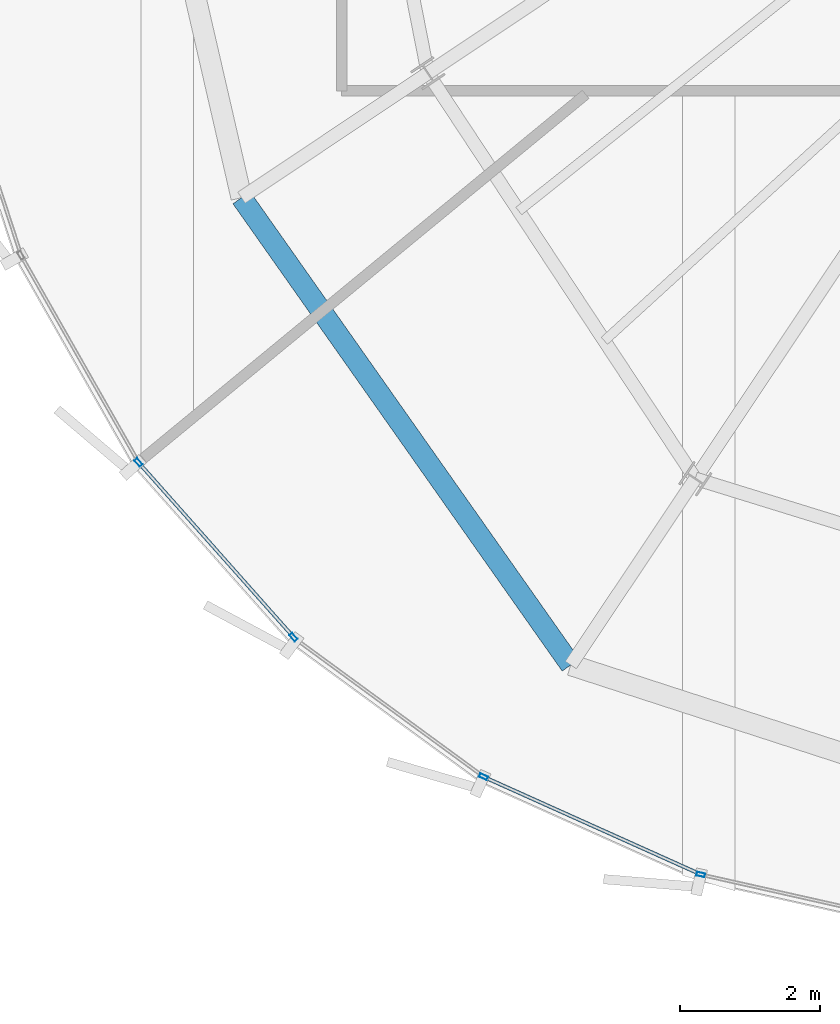
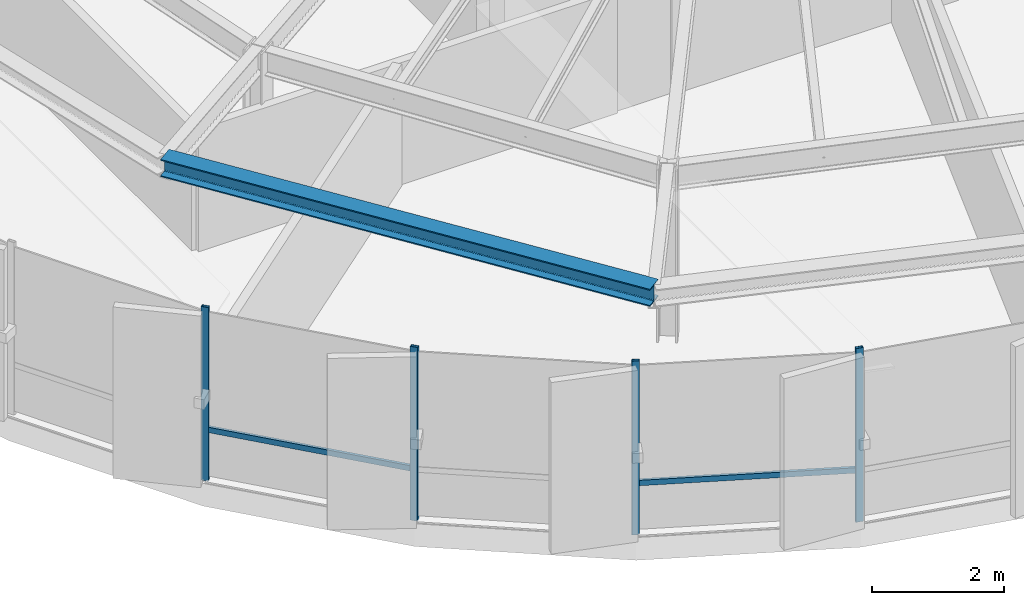
# One storey, part 2 of 36: 6 members, 1 beam, 2 elements without a shape of their own.
"""IFC4 building model written with IfcOpenShell, lengths in metres."""

from ifc_helpers import new_model, si_unit, direction, frame, origin, origin_2d, place, context, subcontext, project, spatial, hollow_rectangle, i_section, extrude, source, transform, mapped, material, layer, layer_set, material_profile, profile_set, type_object, element, aggregate, save


model = new_model("IFC4")

# Units and contexts
model_context = context("Model", 3, precision=1e-05, world=origin(), true_north=direction((0.0, 1.0)))
body_context = subcontext(model_context, "Body", "Model", "MODEL_VIEW")
ifc_project = project(units=[si_unit("LENGTHUNIT", "METRE"), si_unit("AREAUNIT", "SQUARE_METRE"), si_unit("VOLUMEUNIT", "CUBIC_METRE"), si_unit("PLANEANGLEUNIT", "RADIAN"), si_unit("MASSUNIT", "GRAM", prefix="KILO"), si_unit("THERMODYNAMICTEMPERATUREUNIT", "KELVIN")], contexts=[model_context])

# Site, building, storey
site_placement = place(None, origin())
site = spatial("IfcSite", under=ifc_project, at=site_placement, CompositionType="ELEMENT")
building_placement = place(site_placement, origin())
building = spatial("IfcBuilding", under=site, at=building_placement, Name="Kethvar Cultural Tower", CompositionType="ELEMENT")
storey_placement = place(building_placement, frame((0.0, 0.0, 228.39990234375)))
storey = spatial("IfcBuildingStorey", under=building, at=storey_placement, Name="L59", CompositionType="ELEMENT", Elevation=228.39990234375)

# Beam
ifc_material_1 = material(Name="Steel S355J2", Category="steel")
ifc_material_profile_1 = material_profile(ifc_material_1, i_section(OverallWidth=0.300048828125, OverallDepth=0.320068359375, WebThickness=0.011474609375, FlangeThickness=0.0205078125, FilletRadius=0.027099609375, at=origin_2d()), Name="Steel S355J2 — HEB320")
ifc_profile_set_1 = profile_set([ifc_material_profile_1], Name="Steel S355J2 — HEB320")
beam_type = type_object("IfcBeamType", Name="BM-SP320", PredefinedType="SPANDREL", material=ifc_profile_set_1)
shared_shape_1 = source(origin(), body_context, "Body", "SweptSolid", [
    extrude(i_section(OverallWidth=0.300048828125, OverallDepth=0.320068359375, WebThickness=0.011474609375, FlangeThickness=0.0205078125, FilletRadius=0.027099609375, at=origin_2d()), origin(), (0.0, 0.0, 1.0), 8.16259765625),
])
beam_placement = place(storey_placement, frame((30.252197265625, 16.7431640625, 3.048095703125), z_axis=(0.575940812748, -0.817491394579, 0.0), x_axis=(0.817491394579, 0.575940812748, 0.0)))
element("IfcBeam", 1, at=beam_placement, inside=storey, type_object=beam_type, Name="L59 Perimeter Spandrel Beam SP-10", PredefinedType="SPANDREL", context=body_context, shape_type="MappedRepresentation", body=[
    mapped(shared_shape_1, transform((0.0, 0.0, 0.0), scale=1.0)),
])

# Curtain wall, members
ifc_material_2 = material(Name="Aluminium 6063-T6", Category="aluminium")
ifc_layer = layer(ifc_material_2, 0.179931640625, Name="Aluminium 6063-T6", Category="aluminium")
ifc_layer_set = layer_set([ifc_layer], Name="Aluminium 6063-T6 (180 mm)")
curtain_wall_type = type_object("IfcCurtainWallType", Name="CW-SYS-05-Z56", PredefinedType="NOTDEFINED", material=ifc_layer_set)
curtain_wall_1_placement = place(storey_placement, origin())
curtain_wall_1 = element("IfcCurtainWall", 2, at=curtain_wall_1_placement, inside=storey, type_object=curtain_wall_type, Name="L59 Curtain Wall Run 03", PredefinedType="NOTDEFINED")
ifc_material_profile_2 = material_profile(ifc_material_2, hollow_rectangle(XDim=0.054931640625, YDim=0.1201171875, WallThickness=0.00390625, at=origin_2d()), Name="Aluminium 6063-T6 — RHS120x55x4")
ifc_profile_set_2 = profile_set([ifc_material_profile_2], Name="Aluminium 6063-T6 — RHS120x55x4")
member_type_1 = type_object("IfcMemberType", Name="CW-SYS-05-Z56-MUL", PredefinedType="MULLION", material=ifc_profile_set_2)
shared_shape_2 = source(origin(), body_context, "Body", "SweptSolid", [
    extrude(hollow_rectangle(XDim=0.054931640625, YDim=0.1201171875, WallThickness=0.00390625, at=origin_2d()), origin(), (0.0, 0.0, 1.0), 3.210205078125),
])
member_1_placement = place(storey_placement, frame((28.780517578125, 12.9638671875, 0.0), z_axis=(0.0, 0.0, 1.0), x_axis=(0.747705381622, 0.664030618491, 0.0)))
member_1 = element("IfcMember", 3, at=member_1_placement, type_object=member_type_1, Name="CW-L59-R03 Mullion 6", PredefinedType="MULLION", context=body_context, shape_type="MappedRepresentation", body=[
    mapped(shared_shape_2, transform((0.0, 0.0, 0.0), scale=1.0)),
])
member_2_placement = place(storey_placement, frame((30.99609375, 10.468994140625, 0.0), z_axis=(0.0, 0.0, 1.0), x_axis=(0.747705381622, 0.664030618491, 0.0)))
member_2 = element("IfcMember", 4, at=member_2_placement, type_object=member_type_1, Name="CW-L59-R03 Mullion 7", PredefinedType="MULLION", context=body_context, shape_type="MappedRepresentation", body=[
    mapped(shared_shape_2, transform((0.0, 0.0, 0.0), scale=1.0)),
])

curtain_wall_2_placement = place(storey_placement, origin())
curtain_wall_2 = element("IfcCurtainWall", 5, at=curtain_wall_2_placement, inside=storey, type_object=curtain_wall_type, Name="L59 Curtain Wall Run 04", PredefinedType="NOTDEFINED")
member_3_placement = place(storey_placement, frame((33.70751953125, 8.474609375, 0.0), z_axis=(0.0, 0.0, 1.0), x_axis=(0.409923033842, 0.912120116172, 0.0)))
member_3 = element("IfcMember", 6, at=member_3_placement, type_object=member_type_1, Name="CW-L59-R04 Mullion 2", PredefinedType="MULLION", context=body_context, shape_type="MappedRepresentation", body=[
    mapped(shared_shape_2, transform((0.0, 0.0, 0.0), scale=1.0)),
])
member_4_placement = place(storey_placement, frame((36.80859375, 7.078857421875, 0.0), z_axis=(0.0, 0.0, 1.0), x_axis=(0.219284300357, 0.975661004456, 0.0)))
member_4 = element("IfcMember", 7, at=member_4_placement, type_object=member_type_1, Name="CW-L59-R04 Mullion 3", PredefinedType="MULLION", context=body_context, shape_type="MappedRepresentation", body=[
    mapped(shared_shape_2, transform((0.0, 0.0, 0.0), scale=1.0)),
])
ifc_material_profile_3 = material_profile(ifc_material_2, hollow_rectangle(XDim=0.050048828125, YDim=0.10009765625, WallThickness=0.00390625, at=origin_2d()), Name="Aluminium 6063-T6 — RHS100x50x4")
ifc_profile_set_3 = profile_set([ifc_material_profile_3], Name="Aluminium 6063-T6 — RHS100x50x4")
member_type_2 = type_object("IfcMemberType", Name="CW-SYS-05-Z56-TRN", PredefinedType="USERDEFINED", material=ifc_profile_set_3)
shared_shape_3 = source(origin(), body_context, "Body", "SweptSolid", [
    extrude(hollow_rectangle(XDim=0.050048828125, YDim=0.10009765625, WallThickness=0.00390625, at=origin_2d()), origin(), (0.0, 0.0, 1.0), 3.341796875),
])
member_5_placement = place(storey_placement, frame((33.743408203125, 8.45849609375, 0.9501953125), z_axis=(0.912119610223, -0.409924159628, 0.0), x_axis=(0.409924159628, 0.912119610223, 0.0)))
member_5 = element("IfcMember", 8, at=member_5_placement, type_object=member_type_2, Name="CW-L59-R04 Transom 2", ObjectType="TRANSOM", PredefinedType="USERDEFINED", context=body_context, shape_type="MappedRepresentation", body=[
    mapped(shared_shape_3, transform((0.0, 0.0, 0.0), scale=1.0)),
])
aggregate(curtain_wall_2, [member_3, member_4, member_5])

# Member
shared_shape_4 = source(origin(), body_context, "Body", "SweptSolid", [
    extrude(hollow_rectangle(XDim=0.050048828125, YDim=0.10009765625, WallThickness=0.00390625, at=origin_2d()), origin(), (0.0, 0.0, 1.0), 3.29345703125),
])
member_6_placement = place(storey_placement, frame((28.806884765625, 12.934326171875, 0.9501953125), z_axis=(0.663981855112, -0.747748685109, 0.0), x_axis=(0.747748685109, 0.663981855112, 0.0)))
member_6 = element("IfcMember", 9, at=member_6_placement, type_object=member_type_2, Name="CW-L59-R03 Transom 6", ObjectType="TRANSOM", PredefinedType="USERDEFINED", context=body_context, shape_type="MappedRepresentation", body=[
    mapped(shared_shape_4, transform((0.0, 0.0, 0.0), scale=1.0)),
])

aggregate(curtain_wall_1, [member_1, member_2, member_6])

save(model, "model.ifc")
